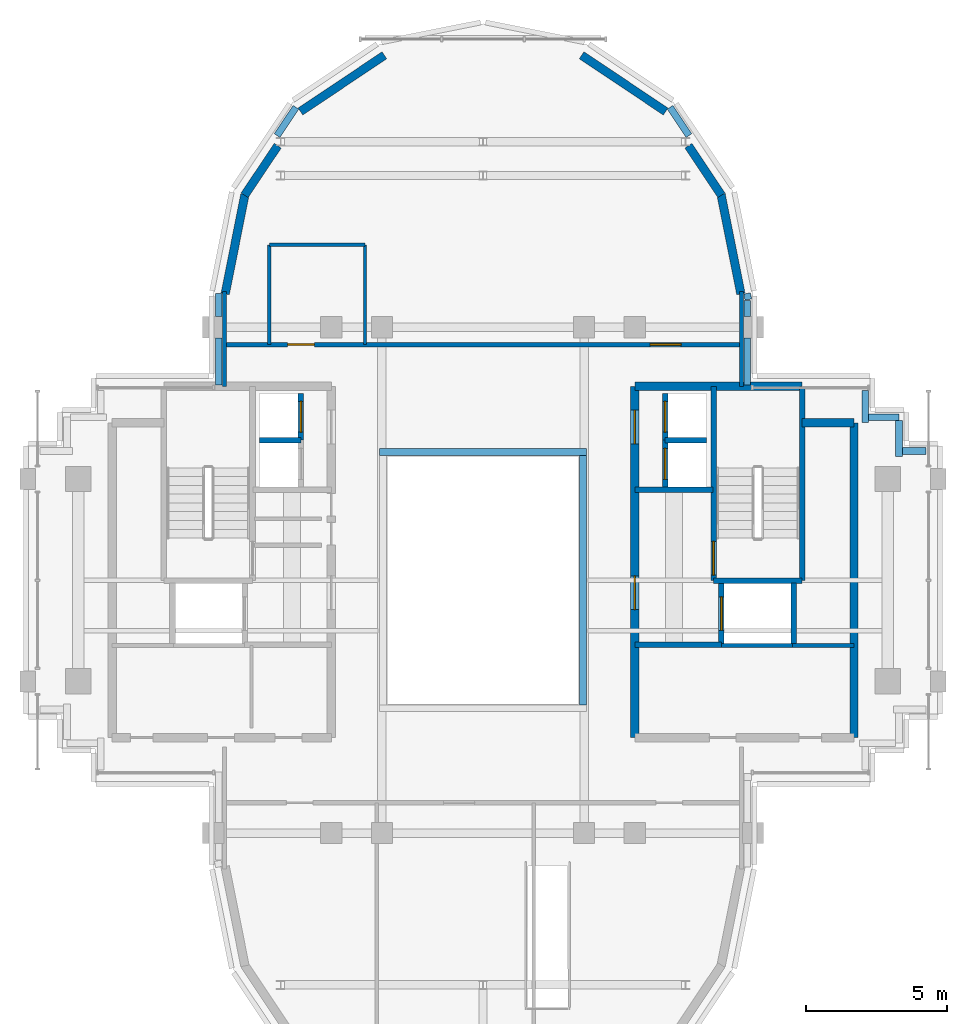
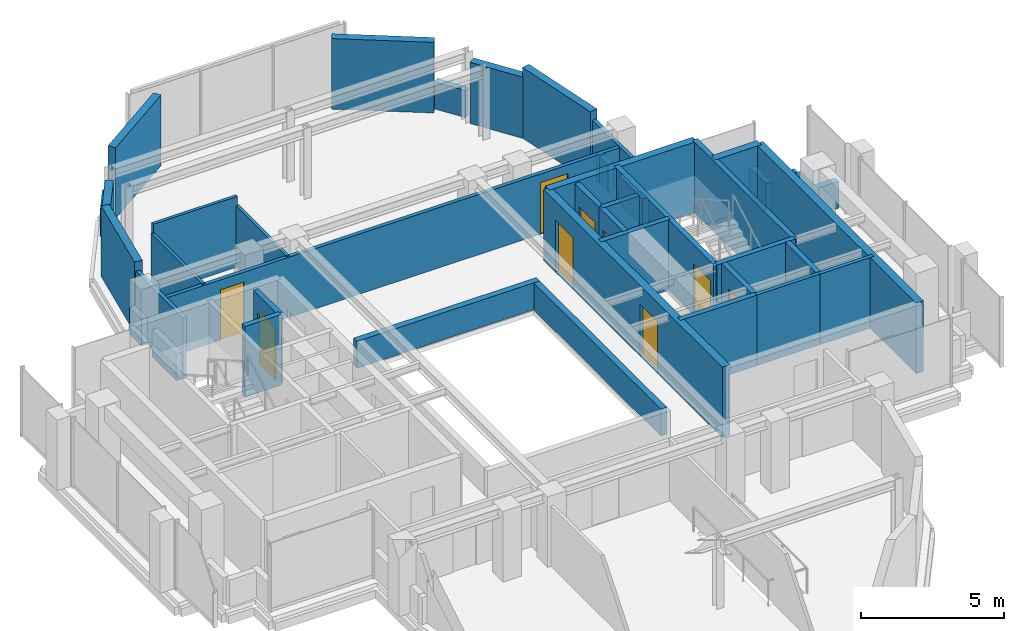
# One storey, part 8 of 11: 43 walls, 9 doors, 9 openings.
"""IFC4 building model written with IfcOpenShell, lengths in metres."""

from ifc_helpers import new_model, si_unit, direction, frame, frame_2d, origin, place, context, subcontext, project, spatial, rectangle, extrude, source, transform, mapped, material, layer, layer_set, type_object, element, fill, save


model = new_model("IFC4")

# Units and contexts
model_context = context("Model", 3, precision=1e-05, world=origin(), true_north=direction((0.0, 1.0)))
body_context = subcontext(model_context, "Body", "Model", "MODEL_VIEW")
ifc_project = project(units=[si_unit("LENGTHUNIT", "METRE"), si_unit("AREAUNIT", "SQUARE_METRE"), si_unit("VOLUMEUNIT", "CUBIC_METRE"), si_unit("PLANEANGLEUNIT", "RADIAN"), si_unit("MASSUNIT", "GRAM", prefix="KILO")], contexts=[model_context])

# Site, building, storey
site_placement = place(None, origin())
site = spatial("IfcSite", under=ifc_project, at=site_placement, CompositionType="ELEMENT")
building_placement = place(site_placement, origin())
building = spatial("IfcBuilding", under=site, at=building_placement, Name="Keilestroom Media Tower", CompositionType="ELEMENT")
storey_placement = place(building_placement, frame((0.0, 0.0, 255.60009765625)))
storey = spatial("IfcBuildingStorey", under=building, at=storey_placement, Name="L71", CompositionType="ELEMENT", Elevation=255.60009765625)

# Walls
ifc_material_1 = material(Name="Precast concrete C40/50", Category="concrete")
ifc_layer_1 = layer(ifc_material_1, 0.300048828125)
ifc_layer_set_1 = layer_set([ifc_layer_1], Name="Precast concrete C40/50")
wall_type_1 = type_object("IfcWallType", Name="Exterior-Masonry-Spandrel-Wall-300", PredefinedType="SOLIDWALL", material=ifc_layer_set_1)
wall_1_placement = place(storey_placement, frame((9.1748046875, 10.185302734375, 0.0), z_axis=(0.0, 0.0, 1.0), x_axis=(-0.195114232679, 0.980780523974, 0.0)))
element("IfcWall", 1, at=wall_1_placement, inside=storey, type_object=wall_type_1, Name="L71 Lobe Facet Precast Frame Wall 01", PredefinedType="SOLIDWALL", context=body_context, shape_type="SweptSolid", body=[
    extrude(rectangle(XDim=3.608642578125, YDim=0.300048828125, at=frame_2d((1.80419921875, 0.0))), origin(), (0.0, 0.0, 1.0), 3.010009765625),
])
wall_2_placement = place(storey_placement, frame((8.48193359375, 13.697509765625, 0.0), z_axis=(0.0, 0.0, 1.0), x_axis=(-0.555604299396, 0.831446848868, 0.0)))
element("IfcWall", 2, at=wall_2_placement, inside=storey, type_object=wall_type_1, Name="L71 Lobe Facet Precast Frame Wall 02", PredefinedType="SOLIDWALL", context=body_context, shape_type="SweptSolid", body=[
    extrude(rectangle(XDim=2.117919921875, YDim=0.300048828125, at=frame_2d((1.05908203125, 0.0))), origin(), (0.0, 0.0, 1.0), 2.60986328125),
])
for number, where, z_axis, x_axis, name in (
    (3, (6.497802734375, 16.677001953125, 0.0), (0.0, 0.0, 1.0), (-0.831443568068, 0.555609208993, 0.0), "L71 Lobe Facet Precast Frame Wall 03"),
    (4, (-3.510009765625, 18.673583984375, 0.0), (0.0, 0.0, 1.0), (-0.831443568068, -0.555609208993, 0.0), "L71 Lobe Facet Precast Frame Wall 04"),
):
    element("IfcWall", number, at=place(storey_placement, frame(where, z_axis=z_axis, x_axis=x_axis)), inside=storey, type_object=wall_type_1, Name=name, PredefinedType="SOLIDWALL", context=body_context, shape_type="SweptSolid", body=[
        extrude(rectangle(XDim=3.593505859375, YDim=0.300048828125, at=frame_2d((1.796875, 0.0))), origin(), (0.0, 0.0, 1.0), 3.010009765625),
    ])
wall_3_placement = place(storey_placement, frame((-7.30517578125, 15.45849609375, 0.0), z_axis=(0.0, 0.0, 1.0), x_axis=(-0.555604299396, -0.831446848868, 0.0)))
element("IfcWall", 5, at=wall_3_placement, inside=storey, type_object=wall_type_1, Name="L71 Lobe Facet Precast Frame Wall 05", PredefinedType="SOLIDWALL", context=body_context, shape_type="SweptSolid", body=[
    extrude(rectangle(XDim=2.117919921875, YDim=0.300048828125, at=frame_2d((1.05908203125, 0.0))), origin(), (0.0, 0.0, 1.0), 2.60986328125),
])
wall_4_placement = place(storey_placement, frame((-8.470703125, 13.724609375, 0.0), z_axis=(0.0, 0.0, 1.0), x_axis=(-0.195114232679, -0.980780523974, 0.0)))
element("IfcWall", 6, at=wall_4_placement, inside=storey, type_object=wall_type_1, Name="L71 Lobe Facet Precast Frame Wall 06", PredefinedType="SOLIDWALL", context=body_context, shape_type="SweptSolid", body=[
    extrude(rectangle(XDim=3.608642578125, YDim=0.300048828125, at=frame_2d((1.80419921875, 0.0))), origin(), (0.0, 0.0, 1.0), 3.010009765625),
])
ifc_material_2 = material(Name="Gypsum Plasterboard & Steel Stud", Category="steel")
ifc_layer_2 = layer(ifc_material_2, 0.1201171875)
ifc_layer_set_2 = layer_set([ifc_layer_2], Name="Gypsum Plasterboard & Steel Stud")
wall_type_2 = type_object("IfcWallType", Name="Interior-Partition-Wall-120", PredefinedType="PARTITIONING", material=ifc_layer_set_2)
wall_5_placement = place(storey_placement, frame((-7.60009765625, 11.929931640625, 0.0), z_axis=(0.0, 0.0, 1.0), x_axis=(1.0, 0.0, 0.0)))
element("IfcWall", 7, at=wall_5_placement, inside=storey, type_object=wall_type_2, Name="L71 Interior Wall WP-L71-NL-WC-N", PredefinedType="PARTITIONING", context=body_context, shape_type="SweptSolid", body=[
    extrude(rectangle(XDim=3.400146484375, YDim=0.1201171875, at=frame_2d((1.7001953125, 0.0))), origin(), (0.0, 0.0, 1.0), 3.010009765625),
])
for number, where, z_axis, x_axis, name in (
    (8, (-7.60009765625, 8.3798828125, 0.0), (0.0, 0.0, 1.0), (0.0, 1.0, 0.0), "L71 Interior Wall WP-L71-NL-WC-W"),
    (9, (-4.199951171875, 8.3798828125, 0.0), (0.0, 0.0, 1.0), (0.0, 1.0, 0.0), "L71 Interior Wall WP-L71-NL-WC-E"),
):
    element("IfcWall", number, at=place(storey_placement, frame(where, z_axis=z_axis, x_axis=x_axis)), inside=storey, type_object=wall_type_2, Name=name, PredefinedType="PARTITIONING", context=body_context, shape_type="SweptSolid", body=[
        extrude(rectangle(XDim=3.550048828125, YDim=0.1201171875, at=frame_2d((1.77490234375, 0.0))), origin(), (0.0, 0.0, 1.0), 2.60986328125),
    ])
ifc_layer_3 = layer(ifc_material_2, 0.14990234375)
ifc_layer_set_3 = layer_set([ifc_layer_3], Name="Gypsum Plasterboard & Steel Stud")
wall_type_3 = type_object("IfcWallType", Name="Interior-Partition-Wall-150", PredefinedType="PARTITIONING", material=ifc_layer_set_3)
wall_6_placement = place(storey_placement, frame((11.02001953125, -2.320068359375, 0.0), z_axis=(0.0, 0.0, 1.0), x_axis=(1.0, 0.0, 0.0)))
element("IfcWall", 10, at=wall_6_placement, inside=storey, type_object=wall_type_3, Name="L71 Interior Wall WP-L71-RECLE-N", PredefinedType="PARTITIONING", context=body_context, shape_type="SweptSolid", body=[
    extrude(rectangle(XDim=2.179931640625, YDim=0.14990234375, at=frame_2d((1.08984375, 0.0))), origin(), (0.0, 0.0, 1.0), 3.010009765625),
])
wall_7_placement = place(storey_placement, frame((8.47998046875, -2.320068359375, 0.0), z_axis=(0.0, 0.0, 1.0), x_axis=(1.0, 0.0, 0.0)))
element("IfcWall", 11, at=wall_7_placement, inside=storey, type_object=wall_type_3, Name="L71 Interior Wall WP-L71-RECME-N", PredefinedType="PARTITIONING", context=body_context, shape_type="SweptSolid", body=[
    extrude(rectangle(XDim=2.56005859375, YDim=0.14990234375, at=frame_2d((1.280029296875, 0.0))), origin(), (0.0, 0.0, 1.0), 3.010009765625),
])

# Wall, openings, doors
wall_8_placement = place(storey_placement, frame((-9.199951171875, 8.3798828125, 0.0), z_axis=(0.0, 0.0, 1.0), x_axis=(1.0, 0.0, 0.0)))
wall_8 = element("IfcWall", 12, at=wall_8_placement, inside=storey, type_object=wall_type_3, Name="L71 Interior Wall WP-L71-NL-BASE", PredefinedType="PARTITIONING", context=body_context, shape_type="SweptSolid", body=[
    extrude(rectangle(XDim=18.39990234375, YDim=0.14990234375, at=frame_2d((9.199951171875, 0.0))), origin(), (0.0, 0.0, 1.0), 2.56982421875),
])
opening_1_placement = place(wall_8_placement, frame((2.25, 0.0, 0.0)))
opening_1 = element("IfcOpeningElement", 13, at=opening_1_placement, cuts=wall_8, Name="Opening DI-03", PredefinedType="OPENING", context=body_context, shape_type="SweptSolid", body=[
    extrude(rectangle(XDim=0.949951171875, YDim=2.14990234375, at=frame_2d((0.47509765625, 1.074951171875))), frame((0.0, 0.0849609375, 0.0), z_axis=(0.0, -1.0, 0.0), x_axis=(1.0, 0.0, 0.0)), (0.0, 0.0, 1.0), 0.169921875),
])
opening_2_placement = place(wall_8_placement, frame((15.14990234375, 0.0, 0.0)))
opening_2 = element("IfcOpeningElement", 14, at=opening_2_placement, cuts=wall_8, Name="Opening DI-04", PredefinedType="OPENING", context=body_context, shape_type="SweptSolid", body=[
    extrude(rectangle(XDim=1.10009765625, YDim=2.199951171875, at=frame_2d((0.550048828125, 1.10009765625))), frame((0.0, 0.0849609375, 0.0), z_axis=(0.0, -1.0, 0.0), x_axis=(1.0, 0.0, 0.0)), (0.0, 0.0, 1.0), 0.169921875),
])
ifc_material_3 = material(Name="Lacquered European Oak Leaf", Category="wood")
door_type_1 = type_object("IfcDoorType", Name="Interior-Room-And-Suite-Door-DI-03", OperationType="NOTDEFINED", PredefinedType="DOOR", material=ifc_material_3)
shared_shape_1 = source(origin(), body_context, "Body", "SweptSolid", [
    extrude(rectangle(XDim=0.949951171875, YDim=2.14990234375, at=frame_2d((0.47509765625, 1.074951171875))), frame((0.0, 0.02490234375, 0.0), z_axis=(0.0, -1.0, 0.0), x_axis=(1.0, 0.0, 0.0)), (0.0, 0.0, 1.0), 0.050048828125),
])
door_1_placement = place(opening_1_placement, origin())
door_1 = element("IfcDoor", 15, at=door_1_placement, inside=storey, type_object=door_type_1, Name="L71 Interior Door DI-L71-DNL-WC", OperationType="SINGLE_SWING_RIGHT", OverallHeight=2.14990234375, OverallWidth=0.949951171875, PredefinedType="DOOR", context=body_context, shape_type="MappedRepresentation", body=[
    mapped(shared_shape_1, transform((0.0, 0.0, 0.0), x_axis=(1.0, 0.0, 0.0), y_axis=(0.0, 1.0, 0.0), z_axis=(0.0, 0.0, 1.0), scale=1.0)),
])
fill(opening_1, door_1)
ifc_material_4 = material(Name="Acoustic Glazed Aluminium Leaf", Category="aluminium")
door_type_2 = type_object("IfcDoorType", Name="Interior-Room-And-Suite-Door-DI-04", OperationType="NOTDEFINED", PredefinedType="DOOR", material=ifc_material_4)
shared_shape_2 = source(origin(), body_context, "Body", "SweptSolid", [
    extrude(rectangle(XDim=1.10009765625, YDim=2.199951171875, at=frame_2d((0.550048828125, 1.10009765625))), frame((0.0, 0.02490234375, 0.0), z_axis=(0.0, -1.0, 0.0), x_axis=(1.0, 0.0, 0.0)), (0.0, 0.0, 1.0), 0.050048828125),
])
door_2_placement = place(opening_2_placement, origin())
door_2 = element("IfcDoor", 16, at=door_2_placement, inside=storey, type_object=door_type_2, Name="L71 Interior Door DI-L71-DNL-HALL", OperationType="SINGLE_SWING_LEFT", OverallHeight=2.199951171875, OverallWidth=1.10009765625, PredefinedType="DOOR", context=body_context, shape_type="MappedRepresentation", body=[
    mapped(shared_shape_2, transform((0.0, 0.0, 0.0), x_axis=(1.0, 0.0, 0.0), y_axis=(0.0, 1.0, 0.0), z_axis=(0.0, 0.0, 1.0), scale=1.0)),
])
fill(opening_2, door_2)

# Walls
for number, where, z_axis, x_axis, name in (
    (17, (-9.199951171875, 6.89990234375, 0.0), (0.0, 0.0, 1.0), (0.0, 1.0, 0.0), "L71 Interior Wall WP-L71-NL-CHKW"),
    (18, (9.199951171875, 6.89990234375, 0.0), (0.0, 0.0, 1.0), (0.0, 1.0, 0.0), "L71 Interior Wall WP-L71-NL-CHKE"),
):
    element("IfcWall", number, at=place(storey_placement, frame(where, z_axis=z_axis, x_axis=x_axis)), inside=storey, type_object=wall_type_3, Name=name, PredefinedType="PARTITIONING", context=body_context, shape_type="SweptSolid", body=[
        extrude(rectangle(XDim=3.380126953125, YDim=0.14990234375, at=frame_2d((1.68994140625, 0.0))), origin(), (0.0, 0.0, 1.0), 2.60986328125),
    ])
ifc_material_5 = material(Name="Concrete C50/60", Category="concrete")
ifc_layer_4 = layer(ifc_material_5, 0.300048828125)
ifc_layer_set_4 = layer_set([ifc_layer_4], Name="Concrete C50/60")
wall_type_4 = type_object("IfcWallType", Name="Reinforced-Concrete-Core-Shear-Wall-300", PredefinedType="SHEAR", material=ifc_layer_set_4)
wall_9_placement = place(storey_placement, frame((13.199951171875, -5.60009765625, 0.0), z_axis=(0.0, 0.0, 1.0), x_axis=(0.0, 1.0, 0.0)))
element("IfcWall", 19, at=wall_9_placement, inside=storey, type_object=wall_type_4, Name="L71 Core Shear Wall WL-L71-CORE-E-OUT", PredefinedType="SHEAR", context=body_context, shape_type="SweptSolid", body=[
    extrude(rectangle(XDim=11.2001953125, YDim=0.300048828125, at=frame_2d((5.60009765625, 0.0))), origin(), (0.0, 0.0, 1.0), 3.010009765625),
])

# Wall, openings, doors
wall_10_placement = place(storey_placement, frame((5.39990234375, -5.60009765625, 0.0), z_axis=(0.0, 0.0, 1.0), x_axis=(0.0, 1.0, 0.0)))
wall_10 = element("IfcWall", 20, at=wall_10_placement, inside=storey, type_object=wall_type_4, Name="L71 Core Shear Wall WL-L71-CORE-E-IN", PredefinedType="SHEAR", context=body_context, shape_type="SweptSolid", body=[
    extrude(rectangle(XDim=12.5, YDim=0.300048828125, at=frame_2d((6.25, 0.0))), origin(), (0.0, 0.0, 1.0), 3.010009765625),
])
opening_3_placement = place(wall_10_placement, frame((4.550048828125, 0.0, 0.0)))
opening_3 = element("IfcOpeningElement", 21, at=opening_3_placement, cuts=wall_10, Name="Opening DI-02", PredefinedType="OPENING", context=body_context, shape_type="SweptSolid", body=[
    extrude(rectangle(XDim=1.199951171875, YDim=2.199951171875, at=frame_2d((0.60009765625, 1.10009765625))), frame((0.0, 0.16015625, 0.0), z_axis=(0.0, -1.0, 0.0), x_axis=(1.0, 0.0, 0.0)), (0.0, 0.0, 1.0), 0.320068359375),
])
opening_4_placement = place(wall_10_placement, frame((10.449951171875, 0.0, 0.0)))
opening_4 = element("IfcOpeningElement", 22, at=opening_4_placement, cuts=wall_10, Name="Opening DI-02", PredefinedType="OPENING", context=body_context, shape_type="SweptSolid", body=[
    extrude(rectangle(XDim=1.199951171875, YDim=2.199951171875, at=frame_2d((0.60009765625, 1.10009765625))), frame((0.0, 0.16015625, 0.0), z_axis=(0.0, -1.0, 0.0), x_axis=(1.0, 0.0, 0.0)), (0.0, 0.0, 1.0), 0.320068359375),
])
ifc_material_6 = material(Name="Powder-Coated Steel Fire Leaf", Category="steel")
door_type_3 = type_object("IfcDoorType", Name="Interior-Compartment-Fire-Door-DI-02", OperationType="NOTDEFINED", PredefinedType="DOOR", material=ifc_material_6)
shared_shape_3 = source(origin(), body_context, "Body", "SweptSolid", [
    extrude(rectangle(XDim=1.199951171875, YDim=2.199951171875, at=frame_2d((0.60009765625, 1.10009765625))), frame((0.0, 0.02490234375, 0.0), z_axis=(0.0, -1.0, 0.0), x_axis=(1.0, 0.0, 0.0)), (0.0, 0.0, 1.0), 0.050048828125),
])
door_3_placement = place(opening_3_placement, origin())
door_3 = element("IfcDoor", 23, at=door_3_placement, inside=storey, type_object=door_type_3, Name="L71 E Firefighting Lobby Door", OperationType="SINGLE_SWING_LEFT", OverallHeight=2.199951171875, OverallWidth=1.199951171875, PredefinedType="DOOR", context=body_context, shape_type="MappedRepresentation", body=[
    mapped(shared_shape_3, transform((0.0, 0.0, 0.0), x_axis=(1.0, 0.0, 0.0), y_axis=(0.0, 1.0, 0.0), z_axis=(0.0, 0.0, 1.0), scale=1.0)),
])
fill(opening_3, door_3)
door_4_placement = place(opening_4_placement, origin())
door_4 = element("IfcDoor", 24, at=door_4_placement, inside=storey, type_object=door_type_3, Name="L71 E High-Rise Lift Lobby Door", OperationType="SINGLE_SWING_RIGHT", OverallHeight=2.199951171875, OverallWidth=1.199951171875, PredefinedType="DOOR", context=body_context, shape_type="MappedRepresentation", body=[
    mapped(shared_shape_3, transform((0.0, 0.0, 0.0), x_axis=(1.0, 0.0, 0.0), y_axis=(0.0, 1.0, 0.0), z_axis=(0.0, 0.0, 1.0), scale=1.0)),
])
fill(opening_4, door_4)

# Walls
wall_11_placement = place(storey_placement, frame((5.39990234375, 6.89990234375, 0.0), z_axis=(0.0, 0.0, 1.0), x_axis=(1.0, 0.0, 0.0)))
element("IfcWall", 25, at=wall_11_placement, inside=storey, type_object=wall_type_4, Name="L71 Core Shear Wall WL-L71-CORE-E-N", PredefinedType="SHEAR", context=body_context, shape_type="SweptSolid", body=[
    extrude(rectangle(XDim=5.9560546875, YDim=0.300048828125, at=frame_2d((2.97802734375, 0.0))), origin(), (0.0, 0.0, 1.0), 3.010009765625),
])
wall_12_placement = place(storey_placement, frame((11.35595703125, 5.60009765625, 0.0), z_axis=(0.0, 0.0, 1.0), x_axis=(1.0, 0.0, 0.0)))
element("IfcWall", 26, at=wall_12_placement, inside=storey, type_object=wall_type_4, Name="L71 Core Shear Wall WL-L71-CNE-N", PredefinedType="SHEAR", context=body_context, shape_type="SweptSolid", body=[
    extrude(rectangle(XDim=1.843994140625, YDim=0.300048828125, at=frame_2d((0.921875, 0.0))), origin(), (0.0, 0.0, 1.0), 3.010009765625),
])
ifc_layer_5 = layer(ifc_material_5, 0.199951171875)
ifc_layer_set_5 = layer_set([ifc_layer_5], Name="Concrete C50/60")
wall_type_5 = type_object("IfcWallType", Name="Reinforced-Concrete-Shaft-Wall-200", PredefinedType="SOLIDWALL", material=ifc_layer_set_5)
wall_13_placement = place(storey_placement, frame((5.39990234375, 3.219970703125, 0.0), z_axis=(0.0, 0.0, 1.0), x_axis=(1.0, 0.0, 0.0)))
element("IfcWall", 27, at=wall_13_placement, inside=storey, type_object=wall_type_5, Name="L71 Core Shear Wall WL-L71-CORE-E-FFN", PredefinedType="SOLIDWALL", context=body_context, shape_type="SweptSolid", body=[
    extrude(rectangle(XDim=2.780029296875, YDim=0.199951171875, at=frame_2d((1.39013671875, 0.0))), origin(), (0.0, 0.0, 1.0), 3.010009765625),
])
wall_14_placement = place(storey_placement, frame((5.39990234375, -2.300048828125, 0.0), z_axis=(0.0, 0.0, 1.0), x_axis=(1.0, 0.0, 0.0)))
element("IfcWall", 28, at=wall_14_placement, inside=storey, type_object=wall_type_5, Name="L71 Core Shear Wall WL-L71-CORE-E-FFS", PredefinedType="SOLIDWALL", context=body_context, shape_type="SweptSolid", body=[
    extrude(rectangle(XDim=3.080078125, YDim=0.199951171875, at=frame_2d((1.5400390625, 0.0))), origin(), (0.0, 0.0, 1.0), 3.010009765625),
])

# Wall, opening, door
wall_15_placement = place(storey_placement, frame((8.2041015625, -0.01611328125, 0.0), z_axis=(0.0, 0.0, 1.0), x_axis=(0.0, 1.0, 0.0)))
wall_15 = element("IfcWall", 29, at=wall_15_placement, inside=storey, type_object=wall_type_5, Name="L71 Core Shear Wall WL-L71-STW-E-NEAR", PredefinedType="SOLIDWALL", context=body_context, shape_type="SweptSolid", body=[
    extrude(rectangle(XDim=6.916015625, YDim=0.199951171875, at=frame_2d((3.4580078125, 0.0))), origin(), (0.0, 0.0, 1.0), 3.010009765625),
])
opening_5_placement = place(wall_15_placement, frame((0.199951171875, 0.0, 0.0)))
opening_5 = element("IfcOpeningElement", 30, at=opening_5_placement, cuts=wall_15, Name="Opening DI-01S", PredefinedType="OPENING", context=body_context, shape_type="SweptSolid", body=[
    extrude(rectangle(XDim=1.199951171875, YDim=2.199951171875, at=frame_2d((0.60009765625, 1.10009765625))), frame((0.0, 0.10986328125, 0.0), z_axis=(0.0, -1.0, 0.0), x_axis=(1.0, 0.0, 0.0)), (0.0, 0.0, 1.0), 0.219970703125),
])
door_type_4 = type_object("IfcDoorType", Name="Interior-Stair-And-Core-Fire-Door-DI-01", OperationType="NOTDEFINED", PredefinedType="DOOR", material=ifc_material_6)
door_5_placement = place(opening_5_placement, origin())
door_5 = element("IfcDoor", 31, at=door_5_placement, inside=storey, type_object=door_type_4, Name="L71 Escape Stair ST-2 Fire Door", OperationType="SINGLE_SWING_RIGHT", OverallHeight=2.199951171875, OverallWidth=1.199951171875, PredefinedType="DOOR", context=body_context, shape_type="MappedRepresentation", body=[
    mapped(shared_shape_3, transform((0.0, 0.0, 0.0), x_axis=(1.0, 0.0, 0.0), y_axis=(0.0, 1.0, 0.0), z_axis=(0.0, 0.0, 1.0), scale=1.0)),
])
fill(opening_5, door_5)

# Walls
wall_16_placement = place(storey_placement, frame((11.35595703125, -0.01611328125, 0.0), z_axis=(0.0, 0.0, 1.0), x_axis=(0.0, 1.0, 0.0)))
element("IfcWall", 32, at=wall_16_placement, inside=storey, type_object=wall_type_5, Name="L71 Core Shear Wall WL-L71-STW-E-FAR", PredefinedType="SOLIDWALL", context=body_context, shape_type="SweptSolid", body=[
    extrude(rectangle(XDim=6.916015625, YDim=0.199951171875, at=frame_2d((3.4580078125, 0.0))), origin(), (0.0, 0.0, 1.0), 3.010009765625),
])
wall_17_placement = place(storey_placement, frame((8.2041015625, -0.01611328125, 0.0), z_axis=(0.0, 0.0, 1.0), x_axis=(1.0, 0.0, 0.0)))
element("IfcWall", 33, at=wall_17_placement, inside=storey, type_object=wall_type_5, Name="L71 Core Shear Wall WL-L71-STW-E-S", PredefinedType="SOLIDWALL", context=body_context, shape_type="SweptSolid", body=[
    extrude(rectangle(XDim=3.15185546875, YDim=0.199951171875, at=frame_2d((1.575927734375, 0.0))), origin(), (0.0, 0.0, 1.0), 3.010009765625),
])

# Wall, opening, door
wall_18_placement = place(storey_placement, frame((8.47998046875, -2.280029296875, 0.0), z_axis=(0.0, 0.0, 1.0), x_axis=(0.0, 1.0, 0.0)))
wall_18 = element("IfcWall", 34, at=wall_18_placement, inside=storey, type_object=wall_type_5, Name="L71 Core Shear Wall WL-L71-LSH-FFL-2-W", PredefinedType="SOLIDWALL", context=body_context, shape_type="SweptSolid", body=[
    extrude(rectangle(XDim=2.179931640625, YDim=0.199951171875, at=frame_2d((1.08984375, 0.0))), origin(), (0.0, 0.0, 1.0), 3.010009765625),
])
opening_6_placement = place(wall_18_placement, frame((0.489990234375, 0.0, 0.0)))
opening_6 = element("IfcOpeningElement", 35, at=opening_6_placement, cuts=wall_18, Name="Opening LD-02", PredefinedType="OPENING", context=body_context, shape_type="SweptSolid", body=[
    extrude(rectangle(XDim=1.199951171875, YDim=2.199951171875, at=frame_2d((0.60009765625, 1.10009765625))), frame((0.0, 0.10986328125, 0.0), z_axis=(0.0, -1.0, 0.0), x_axis=(1.0, 0.0, 0.0)), (0.0, 0.0, 1.0), 0.219970703125),
])
ifc_material_7 = material(Name="Brushed Stainless Steel Sliding Leaf", Category="steel")
door_type_5 = type_object("IfcDoorType", Name="Lift-Landing-Sliding-Door-LD-02", OperationType="SLIDING_TO_RIGHT", PredefinedType="DOOR", material=ifc_material_7)
door_6_placement = place(opening_6_placement, origin())
door_6 = element("IfcDoor", 36, at=door_6_placement, inside=storey, type_object=door_type_5, Name="L71 Lift FFL-2 Landing Sliding Door", OperationType="SLIDING_TO_RIGHT", OverallHeight=2.199951171875, OverallWidth=1.199951171875, PredefinedType="DOOR", context=body_context, shape_type="MappedRepresentation", body=[
    mapped(shared_shape_3, transform((0.0, 0.0, 0.0), x_axis=(1.0, 0.0, 0.0), y_axis=(0.0, 1.0, 0.0), z_axis=(0.0, 0.0, 1.0), scale=1.0)),
])
fill(opening_6, door_6)

# Walls
wall_19_placement = place(storey_placement, frame((11.050048828125, -2.280029296875, 0.0), z_axis=(0.0, 0.0, 1.0), x_axis=(0.0, 1.0, 0.0)))
element("IfcWall", 37, at=wall_19_placement, inside=storey, type_object=wall_type_5, Name="L71 Core Shear Wall WL-L71-LSH-FFL-2-E", PredefinedType="SOLIDWALL", context=body_context, shape_type="SweptSolid", body=[
    extrude(rectangle(XDim=2.179931640625, YDim=0.199951171875, at=frame_2d((1.08984375, 0.0))), origin(), (0.0, 0.0, 1.0), 3.010009765625),
])
wall_20_placement = place(storey_placement, frame((-7.949951171875, 4.97998046875, 0.0), z_axis=(0.0, 0.0, 1.0), x_axis=(1.0, 0.0, 0.0)))
element("IfcWall", 38, at=wall_20_placement, inside=storey, type_object=wall_type_5, Name="L71 Core Shear Wall WL-L71-LSH-PL-H1-N", PredefinedType="SOLIDWALL", context=body_context, shape_type="SweptSolid", body=[
    extrude(rectangle(XDim=1.469970703125, YDim=0.199951171875, at=frame_2d((0.73486328125, 0.0))), origin(), (0.0, 0.0, 1.0), 3.010009765625),
])

# Wall, opening, door
wall_21_placement = place(storey_placement, frame((-6.47998046875, 4.97998046875, 0.0), z_axis=(0.0, 0.0, 1.0), x_axis=(0.0, 1.0, 0.0)))
wall_21 = element("IfcWall", 39, at=wall_21_placement, inside=storey, type_object=wall_type_5, Name="L71 Core Shear Wall WL-L71-LSH-PL-H2-E", PredefinedType="SOLIDWALL", context=body_context, shape_type="SweptSolid", body=[
    extrude(rectangle(XDim=1.669921875, YDim=0.199951171875, at=frame_2d((0.8349609375, 0.0))), origin(), (0.0, 0.0, 1.0), 3.010009765625),
])
opening_7_placement = place(wall_21_placement, frame((0.284912109375, 0.0, 0.0)))
opening_7 = element("IfcOpeningElement", 40, at=opening_7_placement, cuts=wall_21, Name="Opening LD-01", PredefinedType="OPENING", context=body_context, shape_type="SweptSolid", body=[
    extrude(rectangle(XDim=1.10009765625, YDim=2.199951171875, at=frame_2d((0.550048828125, 1.10009765625))), frame((0.0, 0.10986328125, 0.0), z_axis=(0.0, -1.0, 0.0), x_axis=(1.0, 0.0, 0.0)), (0.0, 0.0, 1.0), 0.219970703125),
])
door_type_6 = type_object("IfcDoorType", Name="Lift-Landing-Sliding-Door-LD-01", OperationType="SLIDING_TO_LEFT", PredefinedType="DOOR", material=ifc_material_7)
door_7_placement = place(opening_7_placement, origin())
door_7 = element("IfcDoor", 41, at=door_7_placement, inside=storey, type_object=door_type_6, Name="L71 Lift PL-H2 Landing Sliding Door", OperationType="SLIDING_TO_LEFT", OverallHeight=2.199951171875, OverallWidth=1.10009765625, PredefinedType="DOOR", context=body_context, shape_type="MappedRepresentation", body=[
    mapped(shared_shape_2, transform((0.0, 0.0, 0.0), x_axis=(1.0, 0.0, 0.0), y_axis=(0.0, 1.0, 0.0), z_axis=(0.0, 0.0, 1.0), scale=1.0)),
])
fill(opening_7, door_7)

wall_22_placement = place(storey_placement, frame((6.47998046875, 3.300048828125, 0.0), z_axis=(0.0, 0.0, 1.0), x_axis=(0.0, 1.0, 0.0)))
wall_22 = element("IfcWall", 42, at=wall_22_placement, inside=storey, type_object=wall_type_5, Name="L71 Core Shear Wall WL-L71-LSH-PL-H3-W", PredefinedType="SOLIDWALL", context=body_context, shape_type="SweptSolid", body=[
    extrude(rectangle(XDim=1.679931640625, YDim=0.199951171875, at=frame_2d((0.83984375, 0.0))), origin(), (0.0, 0.0, 1.0), 3.010009765625),
])
opening_8_placement = place(wall_22_placement, frame((0.2900390625, 0.0, 0.0)))
opening_8 = element("IfcOpeningElement", 43, at=opening_8_placement, cuts=wall_22, Name="Opening LD-01", PredefinedType="OPENING", context=body_context, shape_type="SweptSolid", body=[
    extrude(rectangle(XDim=1.10009765625, YDim=2.199951171875, at=frame_2d((0.550048828125, 1.10009765625))), frame((0.0, 0.10986328125, 0.0), z_axis=(0.0, -1.0, 0.0), x_axis=(1.0, 0.0, 0.0)), (0.0, 0.0, 1.0), 0.219970703125),
])
door_8_placement = place(opening_8_placement, origin())
door_8 = element("IfcDoor", 44, at=door_8_placement, inside=storey, type_object=door_type_6, Name="L71 Lift PL-H3 Landing Sliding Door", OperationType="SLIDING_TO_LEFT", OverallHeight=2.199951171875, OverallWidth=1.10009765625, PredefinedType="DOOR", context=body_context, shape_type="MappedRepresentation", body=[
    mapped(shared_shape_2, transform((0.0, 0.0, 0.0), x_axis=(1.0, 0.0, 0.0), y_axis=(0.0, 1.0, 0.0), z_axis=(0.0, 0.0, 1.0), scale=1.0)),
])
fill(opening_8, door_8)

# Wall
wall_23_placement = place(storey_placement, frame((6.47998046875, 4.97998046875, 0.0), z_axis=(0.0, 0.0, 1.0), x_axis=(1.0, 0.0, 0.0)))
element("IfcWall", 45, at=wall_23_placement, inside=storey, type_object=wall_type_5, Name="L71 Core Shear Wall WL-L71-LSH-PL-H3-N", PredefinedType="SOLIDWALL", context=body_context, shape_type="SweptSolid", body=[
    extrude(rectangle(XDim=1.469970703125, YDim=0.199951171875, at=frame_2d((0.73486328125, 0.0))), origin(), (0.0, 0.0, 1.0), 3.010009765625),
])

# Wall, opening, door
wall_24_placement = place(storey_placement, frame((6.47998046875, 4.97998046875, 0.0), z_axis=(0.0, 0.0, 1.0), x_axis=(0.0, 1.0, 0.0)))
wall_24 = element("IfcWall", 46, at=wall_24_placement, inside=storey, type_object=wall_type_5, Name="L71 Core Shear Wall WL-L71-LSH-PL-H4-W", PredefinedType="SOLIDWALL", context=body_context, shape_type="SweptSolid", body=[
    extrude(rectangle(XDim=1.669921875, YDim=0.199951171875, at=frame_2d((0.8349609375, 0.0))), origin(), (0.0, 0.0, 1.0), 3.010009765625),
])
opening_9_placement = place(wall_24_placement, frame((0.284912109375, 0.0, 0.0)))
opening_9 = element("IfcOpeningElement", 47, at=opening_9_placement, cuts=wall_24, Name="Opening LD-01", PredefinedType="OPENING", context=body_context, shape_type="SweptSolid", body=[
    extrude(rectangle(XDim=1.10009765625, YDim=2.199951171875, at=frame_2d((0.550048828125, 1.10009765625))), frame((0.0, 0.10986328125, 0.0), z_axis=(0.0, -1.0, 0.0), x_axis=(1.0, 0.0, 0.0)), (0.0, 0.0, 1.0), 0.219970703125),
])
door_9_placement = place(opening_9_placement, origin())
door_9 = element("IfcDoor", 48, at=door_9_placement, inside=storey, type_object=door_type_6, Name="L71 Lift PL-H4 Landing Sliding Door", OperationType="SLIDING_TO_LEFT", OverallHeight=2.199951171875, OverallWidth=1.10009765625, PredefinedType="DOOR", context=body_context, shape_type="MappedRepresentation", body=[
    mapped(shared_shape_2, transform((0.0, 0.0, 0.0), x_axis=(1.0, 0.0, 0.0), y_axis=(0.0, 1.0, 0.0), z_axis=(0.0, 0.0, 1.0), scale=1.0)),
])
fill(opening_9, door_9)

# Walls
ifc_layer_6 = layer(ifc_material_1, 0.239990234375)
ifc_layer_set_6 = layer_set([ifc_layer_6], Name="Precast concrete C40/50")
wall_type_6 = type_object("IfcWallType", Name="Roof-And-Terrace-Parapet-Wall-240", PredefinedType="PARAPET", material=ifc_layer_set_6)
wall_25_placement = place(storey_placement, frame((-9.39990234375, 6.952880859375, 0.0), z_axis=(0.0, 0.0, 1.0), x_axis=(0.0, 1.0, 0.0)))
element("IfcWall", 49, at=wall_25_placement, inside=storey, type_object=wall_type_6, Name="L71 Perimeter Edge Parapet Wall 19", PredefinedType="PARAPET", context=body_context, shape_type="SweptSolid", body=[
    extrude(rectangle(XDim=1.669189453125, YDim=0.239990234375, at=frame_2d((0.83447265625, 0.0))), origin(), (0.0, 0.0, 1.0), 1.14990234375),
])
wall_26_placement = place(storey_placement, frame((-9.39990234375, 9.3779296875, 0.0), z_axis=(0.0, 0.0, 1.0), x_axis=(0.0, 1.0, 0.0)))
element("IfcWall", 50, at=wall_26_placement, inside=storey, type_object=wall_type_6, Name="L71 Perimeter Edge Parapet Wall 20", PredefinedType="PARAPET", context=body_context, shape_type="SweptSolid", body=[
    extrude(rectangle(XDim=0.824951171875, YDim=0.239990234375, at=frame_2d((0.41259765625, 0.0))), origin(), (0.0, 0.0, 1.0), 1.14990234375),
])
for number, where, z_axis, x_axis, name in (
    (51, (-7.328125, 15.8203125, 0.0), (0.0, 0.0, 1.0), (0.555585388542, 0.831459485506, 0.0), "L71 Perimeter Edge Parapet Wall 21"),
    (52, (6.656494140625, 16.825439453125, 0.0), (0.0, 0.0, 1.0), (0.555585388542, -0.831459485506, 0.0), "L71 Perimeter Edge Parapet Wall 22"),
):
    element("IfcWall", number, at=place(storey_placement, frame(where, z_axis=z_axis, x_axis=x_axis)), inside=storey, type_object=wall_type_6, Name=name, PredefinedType="PARAPET", context=body_context, shape_type="SweptSolid", body=[
        extrude(rectangle(XDim=1.208984375, YDim=0.239990234375, at=frame_2d((0.6044921875, 0.0))), origin(), (0.0, 0.0, 1.0), 1.14990234375),
    ])
wall_27_placement = place(storey_placement, frame((9.395263671875, 10.2041015625, 0.0), z_axis=(0.0, 0.0, 1.0), x_axis=(0.194859894132, -0.980831087221, 0.0)))
element("IfcWall", 53, at=wall_27_placement, inside=storey, type_object=wall_type_6, Name="L71 Perimeter Edge Parapet Wall 23", PredefinedType="PARAPET", context=body_context, shape_type="SweptSolid", body=[
    extrude(rectangle(XDim=0.224365234375, YDim=0.239990234375, at=frame_2d((0.1123046875, 0.0))), origin(), (0.0, 0.0, 1.0), 1.14990234375),
])
wall_28_placement = place(storey_placement, frame((9.39990234375, 9.957763671875, 0.0), z_axis=(0.0, 0.0, 1.0), x_axis=(0.0, -1.0, 0.0)))
element("IfcWall", 54, at=wall_28_placement, inside=storey, type_object=wall_type_6, Name="L71 Perimeter Edge Parapet Wall 24", PredefinedType="PARAPET", context=body_context, shape_type="SweptSolid", body=[
    extrude(rectangle(XDim=0.579833984375, YDim=0.239990234375, at=frame_2d((0.2900390625, 0.0))), origin(), (0.0, 0.0, 1.0), 1.14990234375),
])
wall_29_placement = place(storey_placement, frame((9.39990234375, 8.6220703125, 0.0), z_axis=(0.0, 0.0, 1.0), x_axis=(0.0, -1.0, 0.0)))
element("IfcWall", 55, at=wall_29_placement, inside=storey, type_object=wall_type_6, Name="L71 Perimeter Edge Parapet Wall 25", PredefinedType="PARAPET", context=body_context, shape_type="SweptSolid", body=[
    extrude(rectangle(XDim=1.669189453125, YDim=0.239990234375, at=frame_2d((0.83447265625, 0.0))), origin(), (0.0, 0.0, 1.0), 1.14990234375),
])
wall_30_placement = place(storey_placement, frame((13.60009765625, 6.757080078125, 0.0), z_axis=(0.0, 0.0, 1.0), x_axis=(0.0, -1.0, 0.0)))
element("IfcWall", 56, at=wall_30_placement, inside=storey, type_object=wall_type_6, Name="L71 Perimeter Edge Parapet Wall 26", PredefinedType="PARAPET", context=body_context, shape_type="SweptSolid", body=[
    extrude(rectangle(XDim=1.1416015625, YDim=0.239990234375, at=frame_2d((0.57080078125, 0.0))), origin(), (0.0, 0.0, 1.0), 1.14990234375),
])
wall_31_placement = place(storey_placement, frame((13.722900390625, 5.800048828125, 0.0), z_axis=(0.0, 0.0, 1.0), x_axis=(1.0, 0.0, 0.0)))
element("IfcWall", 57, at=wall_31_placement, inside=storey, type_object=wall_type_6, Name="L71 Perimeter Edge Parapet Wall 27", PredefinedType="PARAPET", context=body_context, shape_type="SweptSolid", body=[
    extrude(rectangle(XDim=1.0771484375, YDim=0.239990234375, at=frame_2d((0.53857421875, 0.0))), origin(), (0.0, 0.0, 1.0), 1.14990234375),
])
wall_32_placement = place(storey_placement, frame((14.800048828125, 5.677001953125, 0.0), z_axis=(0.0, 0.0, 1.0), x_axis=(0.0, -1.0, 0.0)))
element("IfcWall", 58, at=wall_32_placement, inside=storey, type_object=wall_type_6, Name="L71 Perimeter Edge Parapet Wall 28", PredefinedType="PARAPET", context=body_context, shape_type="SweptSolid", body=[
    extrude(rectangle(XDim=1.277099609375, YDim=0.239990234375, at=frame_2d((0.638671875, 0.0))), origin(), (0.0, 0.0, 1.0), 1.14990234375),
])
wall_33_placement = place(storey_placement, frame((14.923095703125, 4.60009765625, 0.0), z_axis=(0.0, 0.0, 1.0), x_axis=(1.0, 0.0, 0.0)))
element("IfcWall", 59, at=wall_33_placement, inside=storey, type_object=wall_type_6, Name="L71 Perimeter Edge Parapet Wall 29", PredefinedType="PARAPET", context=body_context, shape_type="SweptSolid", body=[
    extrude(rectangle(XDim=0.833984375, YDim=0.239990234375, at=frame_2d((0.4169921875, 0.0))), origin(), (0.0, 0.0, 1.0), 1.14990234375),
])
wall_34_placement = place(storey_placement, frame((-3.679931640625, 4.56005859375, 0.0), z_axis=(0.0, 0.0, 1.0), x_axis=(1.0, 0.0, 0.0)))
element("IfcWall", 60, at=wall_34_placement, inside=storey, type_object=wall_type_6, Name="L71 Central Atrium Guard Parapet N", PredefinedType="PARAPET", context=body_context, shape_type="SweptSolid", body=[
    extrude(rectangle(XDim=7.35986328125, YDim=0.239990234375, at=frame_2d((3.679931640625, 0.0))), origin(), (0.0, 0.0, 1.0), 1.14990234375),
])
wall_35_placement = place(storey_placement, frame((3.56005859375, -4.43505859375, 0.0), z_axis=(0.0, 0.0, 1.0), x_axis=(0.0, 1.0, 0.0)))
element("IfcWall", 61, at=wall_35_placement, inside=storey, type_object=wall_type_6, Name="L71 Central Atrium Guard Parapet E", PredefinedType="PARAPET", context=body_context, shape_type="SweptSolid", body=[
    extrude(rectangle(XDim=8.8701171875, YDim=0.239990234375, at=frame_2d((4.43505859375, 0.0))), origin(), (0.0, 0.0, 1.0), 1.14990234375),
])

save(model, "model.ifc")
